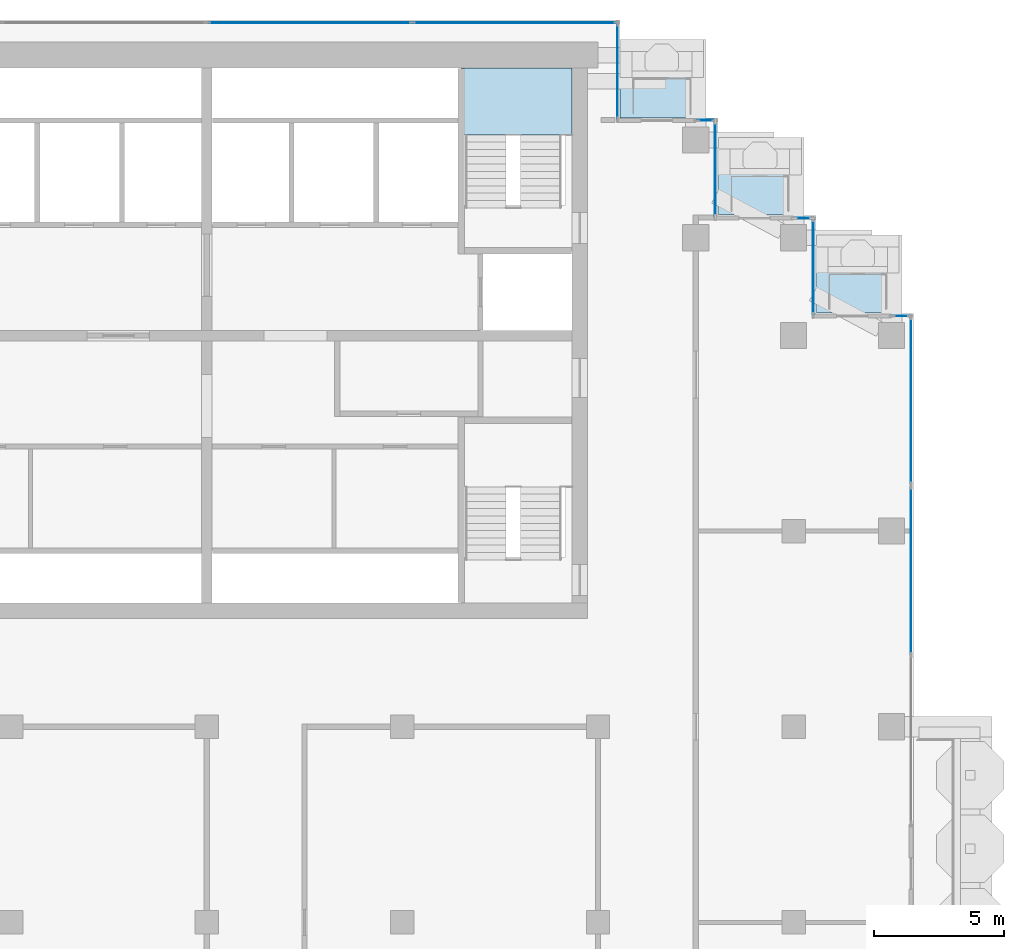
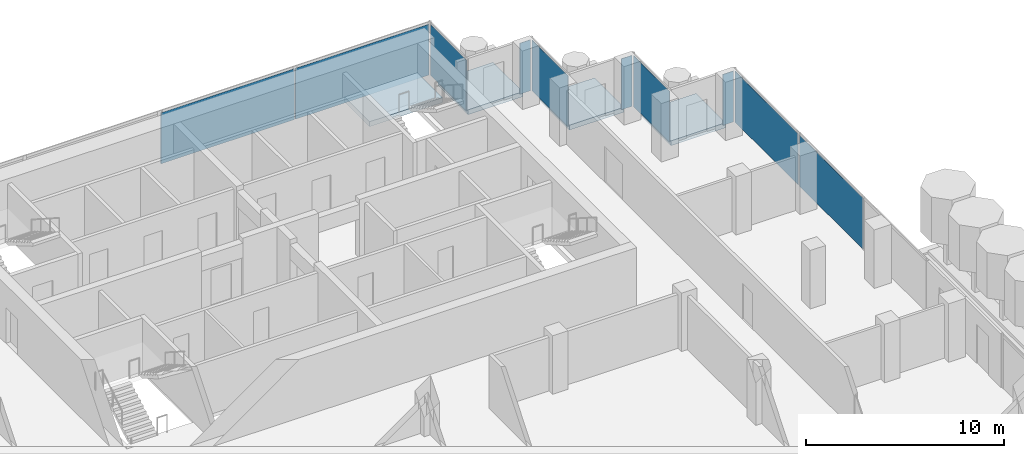
# One storey, part 10 of 17: 10 plates, 4 slabs, 10 elements without a shape of their own.
"""IFC4 building model written with IfcOpenShell, lengths in metres."""

from ifc_helpers import new_model, si_unit, direction, frame, origin, origin_2d, place, context, subcontext, project, spatial, polyline, rectangle, outline, extrude, material, layer, layer_set, type_object, element, aggregate, save


model = new_model("IFC4")

# Units and contexts
model_context = context("Model", 3, precision=1e-05, world=origin(), true_north=direction((0.0, 1.0)))
body_context = subcontext(model_context, "Body", "Model", "MODEL_VIEW")
ifc_project = project(units=[si_unit("LENGTHUNIT", "METRE"), si_unit("AREAUNIT", "SQUARE_METRE"), si_unit("VOLUMEUNIT", "CUBIC_METRE"), si_unit("PLANEANGLEUNIT", "RADIAN"), si_unit("MASSUNIT", "GRAM", prefix="KILO")], contexts=[model_context])

# Site, building, storey
site_placement = place(None, origin())
site = spatial("IfcSite", under=ifc_project, at=site_placement, CompositionType="ELEMENT")
building_placement = place(site_placement, origin())
building = spatial("IfcBuilding", under=site, at=building_placement, Name="Pilkhan Gate Tower", CompositionType="ELEMENT")
storey_placement = place(building_placement, frame((0.0, 0.0, 213.89990234375)))
storey = spatial("IfcBuildingStorey", under=building, at=storey_placement, Name="L55", CompositionType="ELEMENT", Elevation=213.89990234375)

# Slabs
ifc_material_1 = material(Name="Concrete C60/75", Category="concrete")
ifc_layer_1 = layer(ifc_material_1, 0.300048828125)
ifc_layer_set_1 = layer_set([ifc_layer_1], Name="Balcony tray slab TR300")
slab_type_1 = type_object("IfcSlabType", Name="Balcony tray slab TR300", PredefinedType="FLOOR", material=ifc_layer_set_1)
slab_1_placement = place(storey_placement, frame((0.0, 0.0, -0.2998046875)))
element("IfcSlab", 1, at=slab_1_placement, inside=storey, type_object=slab_type_1, Name="Balcony tray L55 N", PredefinedType="FLOOR", context=body_context, shape_type="SweptSolid", body=[
    extrude(outline(polyline([(94.050048828125, 90.85009765625), (94.050048828125, 93.85009765625), (90.85009765625, 93.85009765625), (90.85009765625, 90.85009765625), (94.050048828125, 90.85009765625)])), origin(), (0.0, 0.0, 1.0), 0.2998046875),
])
slab_2_placement = place(storey_placement, frame((0.0, 0.0, -0.2998046875)))
element("IfcSlab", 2, at=slab_2_placement, inside=storey, type_object=slab_type_1, Name="Balcony tray L55 N", PredefinedType="FLOOR", context=body_context, shape_type="SweptSolid", body=[
    extrude(outline(polyline([(97.800048828125, 87.1201171875), (97.800048828125, 90.10009765625), (94.6201171875, 90.10009765625), (94.6201171875, 87.1201171875), (97.800048828125, 87.1201171875)])), origin(), (0.0, 0.0, 1.0), 0.2998046875),
])
slab_3_placement = place(storey_placement, frame((0.0, 0.0, -0.2998046875)))
element("IfcSlab", 3, at=slab_3_placement, inside=storey, type_object=slab_type_1, Name="Balcony tray L55 N", PredefinedType="FLOOR", context=body_context, shape_type="SweptSolid", body=[
    extrude(outline(polyline([(101.550048828125, 83.3701171875), (101.550048828125, 86.35009765625), (98.3701171875, 86.35009765625), (98.3701171875, 83.3701171875), (101.550048828125, 83.3701171875)])), origin(), (0.0, 0.0, 1.0), 0.2998046875),
])

# Curtain wall, plate
ifc_material_2 = material(Name="Pale anodised aluminium, clear low-iron double glazing", Category="aluminium")
curtain_wall_type = type_object("IfcCurtainWallType", Name="Office unitised curtain wall CW-O2", PredefinedType="USERDEFINED", material=ifc_material_2)
curtain_wall_1_placement = place(storey_placement, origin())
curtain_wall_1 = element("IfcCurtainWall", 4, at=curtain_wall_1_placement, inside=storey, type_object=curtain_wall_type, Name="Office unitised curtain wall CW-O2 L55 E", ObjectType="UNITISED CURTAIN WALL", PredefinedType="USERDEFINED")
ifc_material_3 = material(Name="Clear low-iron double glazing", Category="glass")
ifc_layer_2 = layer(ifc_material_3, 0.031982421875)
ifc_layer_set_2 = layer_set([ifc_layer_2], Name="Glass panel CW-O2 32")
plate_type = type_object("IfcPlateType", Name="Glass panel CW-O2 32", PredefinedType="CURTAIN_PANEL", material=ifc_layer_set_2)
plate_1_placement = place(storey_placement, frame((102.0, 73.483642578125, 0.0), z_axis=(0.0, 0.0, 1.0), x_axis=(0.0, 1.0, 0.0)))
plate_1 = element("IfcPlate", 5, at=plate_1_placement, type_object=plate_type, Name="CW-O2 panel 2", PredefinedType="CURTAIN_PANEL", context=body_context, shape_type="SweptSolid", body=[
    extrude(rectangle(XDim=6.402587890625, YDim=0.031982421875, at=origin_2d()), origin(), (0.0, 0.0, 1.0), 3.135009765625),
])
aggregate(curtain_wall_1, [plate_1])

curtain_wall_2_placement = place(storey_placement, origin())
curtain_wall_2 = element("IfcCurtainWall", 6, at=curtain_wall_2_placement, inside=storey, type_object=curtain_wall_type, Name="Office unitised curtain wall CW-O2 L55 E", ObjectType="UNITISED CURTAIN WALL", PredefinedType="USERDEFINED")
plate_2_placement = place(storey_placement, frame((102.0, 80.0, 0.0), z_axis=(0.0, 0.0, 1.0), x_axis=(0.0, 1.0, 0.0)))
plate_2 = element("IfcPlate", 7, at=plate_2_placement, type_object=plate_type, Name="CW-O2 panel 1", PredefinedType="CURTAIN_PANEL", context=body_context, shape_type="SweptSolid", body=[
    extrude(rectangle(XDim=6.3701171875, YDim=0.031982421875, at=origin_2d()), origin(), (0.0, 0.0, 1.0), 3.135009765625),
])
aggregate(curtain_wall_2, [plate_2])

curtain_wall_3_placement = place(storey_placement, origin())
curtain_wall_3 = element("IfcCurtainWall", 8, at=curtain_wall_3_placement, inside=storey, type_object=curtain_wall_type, Name="Office unitised curtain wall CW-O2 L55 N", ObjectType="UNITISED CURTAIN WALL", PredefinedType="USERDEFINED")
plate_3_placement = place(storey_placement, frame((101.625, 83.25, 0.0), z_axis=(0.0, 0.0, 1.0), x_axis=(1.0, 0.0, 0.0)))
plate_3 = element("IfcPlate", 9, at=plate_3_placement, type_object=plate_type, Name="CW-O2 panel 1", PredefinedType="CURTAIN_PANEL", context=body_context, shape_type="SweptSolid", body=[
    extrude(rectangle(XDim=0.6201171875, YDim=0.031982421875, at=origin_2d()), origin(), (0.0, 0.0, 1.0), 3.135009765625),
])
aggregate(curtain_wall_3, [plate_3])

curtain_wall_4_placement = place(storey_placement, origin())
curtain_wall_4 = element("IfcCurtainWall", 10, at=curtain_wall_4_placement, inside=storey, type_object=curtain_wall_type, Name="Office unitised curtain wall CW-O2 L55 E", ObjectType="UNITISED CURTAIN WALL", PredefinedType="USERDEFINED")
plate_4_placement = place(storey_placement, frame((98.25, 85.125, 0.0), z_axis=(0.0, 0.0, 1.0), x_axis=(0.0, 1.0, 0.0)))
plate_4 = element("IfcPlate", 11, at=plate_4_placement, type_object=plate_type, Name="CW-O2 panel 1", PredefinedType="CURTAIN_PANEL", context=body_context, shape_type="SweptSolid", body=[
    extrude(rectangle(XDim=3.6201171875, YDim=0.031982421875, at=origin_2d()), origin(), (0.0, 0.0, 1.0), 3.135009765625),
])
aggregate(curtain_wall_4, [plate_4])

curtain_wall_5_placement = place(storey_placement, origin())
curtain_wall_5 = element("IfcCurtainWall", 12, at=curtain_wall_5_placement, inside=storey, type_object=curtain_wall_type, Name="Office unitised curtain wall CW-O2 L55 N", ObjectType="UNITISED CURTAIN WALL", PredefinedType="USERDEFINED")
plate_5_placement = place(storey_placement, frame((97.875, 87.0, 0.0), z_axis=(0.0, 0.0, 1.0), x_axis=(1.0, 0.0, 0.0)))
plate_5 = element("IfcPlate", 13, at=plate_5_placement, type_object=plate_type, Name="CW-O2 panel 1", PredefinedType="CURTAIN_PANEL", context=body_context, shape_type="SweptSolid", body=[
    extrude(rectangle(XDim=0.6201171875, YDim=0.031982421875, at=origin_2d()), origin(), (0.0, 0.0, 1.0), 3.135009765625),
])
aggregate(curtain_wall_5, [plate_5])

curtain_wall_6_placement = place(storey_placement, origin())
curtain_wall_6 = element("IfcCurtainWall", 14, at=curtain_wall_6_placement, inside=storey, type_object=curtain_wall_type, Name="Office unitised curtain wall CW-O2 L55 E", ObjectType="UNITISED CURTAIN WALL", PredefinedType="USERDEFINED")
plate_6_placement = place(storey_placement, frame((94.5, 88.875, 0.0), z_axis=(0.0, 0.0, 1.0), x_axis=(0.0, 1.0, 0.0)))
plate_6 = element("IfcPlate", 15, at=plate_6_placement, type_object=plate_type, Name="CW-O2 panel 1", PredefinedType="CURTAIN_PANEL", context=body_context, shape_type="SweptSolid", body=[
    extrude(rectangle(XDim=3.6201171875, YDim=0.031982421875, at=origin_2d()), origin(), (0.0, 0.0, 1.0), 3.135009765625),
])
aggregate(curtain_wall_6, [plate_6])

curtain_wall_7_placement = place(storey_placement, origin())
curtain_wall_7 = element("IfcCurtainWall", 16, at=curtain_wall_7_placement, inside=storey, type_object=curtain_wall_type, Name="Office unitised curtain wall CW-O2 L55 N", ObjectType="UNITISED CURTAIN WALL", PredefinedType="USERDEFINED")
plate_7_placement = place(storey_placement, frame((94.125, 90.75, 0.0), z_axis=(0.0, 0.0, 1.0), x_axis=(1.0, 0.0, 0.0)))
plate_7 = element("IfcPlate", 17, at=plate_7_placement, type_object=plate_type, Name="CW-O2 panel 1", PredefinedType="CURTAIN_PANEL", context=body_context, shape_type="SweptSolid", body=[
    extrude(rectangle(XDim=0.6201171875, YDim=0.031982421875, at=origin_2d()), origin(), (0.0, 0.0, 1.0), 3.135009765625),
])
aggregate(curtain_wall_7, [plate_7])

curtain_wall_8_placement = place(storey_placement, origin())
curtain_wall_8 = element("IfcCurtainWall", 18, at=curtain_wall_8_placement, inside=storey, type_object=curtain_wall_type, Name="Office unitised curtain wall CW-O2 L55 E", ObjectType="UNITISED CURTAIN WALL", PredefinedType="USERDEFINED")
plate_8_placement = place(storey_placement, frame((90.75, 92.625, 0.0), z_axis=(0.0, 0.0, 1.0), x_axis=(0.0, 1.0, 0.0)))
plate_8 = element("IfcPlate", 19, at=plate_8_placement, type_object=plate_type, Name="CW-O2 panel 1", PredefinedType="CURTAIN_PANEL", context=body_context, shape_type="SweptSolid", body=[
    extrude(rectangle(XDim=3.6201171875, YDim=0.031982421875, at=origin_2d()), origin(), (0.0, 0.0, 1.0), 3.135009765625),
])
aggregate(curtain_wall_8, [plate_8])

# Curtain wall, plates
curtain_wall_9_placement = place(storey_placement, origin())
curtain_wall_9 = element("IfcCurtainWall", 20, at=curtain_wall_9_placement, inside=storey, type_object=curtain_wall_type, Name="Office unitised curtain wall CW-O2 L55 N", ObjectType="UNITISED CURTAIN WALL", PredefinedType="USERDEFINED")
plate_9_placement = place(storey_placement, frame((78.953857421875, 94.5, 0.0), z_axis=(0.0, 0.0, 1.0), x_axis=(1.0, 0.0, 0.0)))
plate_9 = element("IfcPlate", 21, at=plate_9_placement, type_object=plate_type, Name="CW-O2 panel 1", PredefinedType="CURTAIN_PANEL", context=body_context, shape_type="SweptSolid", body=[
    extrude(rectangle(XDim=7.777587890625, YDim=0.031982421875, at=origin_2d()), origin(), (0.0, 0.0, 1.0), 3.135009765625),
])
plate_10_placement = place(storey_placement, frame((86.796142578125, 94.5, 0.0), z_axis=(0.0, 0.0, 1.0), x_axis=(1.0, 0.0, 0.0)))
plate_10 = element("IfcPlate", 22, at=plate_10_placement, type_object=plate_type, Name="CW-O2 panel 2", PredefinedType="CURTAIN_PANEL", context=body_context, shape_type="SweptSolid", body=[
    extrude(rectangle(XDim=7.777587890625, YDim=0.031982421875, at=origin_2d()), origin(), (0.0, 0.0, 1.0), 3.135009765625),
])
aggregate(curtain_wall_9, [plate_9, plate_10])

# Stair, slab
ifc_material_4 = material(Name="Concrete C40/50 precast", Category="concrete")
stair_type = type_object("IfcStairType", Name="Stair ST4 164x280", PredefinedType="HALF_TURN_STAIR", material=ifc_material_4)
stair_placement = place(storey_placement, origin())
stair = element("IfcStair", 23, at=stair_placement, inside=storey, type_object=stair_type, Name="Stair ST4 L55", PredefinedType="HALF_TURN_STAIR")
ifc_material_5 = material(Name="Concrete C40/50", Category="concrete")
ifc_layer_3 = layer(ifc_material_5, 0.199951171875)
ifc_layer_set_3 = layer_set([ifc_layer_3], Name="Stair landing SL200")
slab_type_2 = type_object("IfcSlabType", Name="Stair landing SL200", PredefinedType="LANDING", material=ifc_layer_set_3)
slab_4_placement = place(storey_placement, frame((0.0, 0.0, 1.5)))
slab_4 = element("IfcSlab", 24, at=slab_4_placement, type_object=slab_type_2, Name="ST4 landing 1", PredefinedType="LANDING", context=body_context, shape_type="SweptSolid", body=[
    extrude(outline(polyline([(89.0, 90.199951171875), (89.0, 92.75), (84.75, 92.75), (84.75, 90.199951171875), (89.0, 90.199951171875)])), origin(), (0.0, 0.0, 1.0), 0.300048828125),
])
aggregate(stair, [slab_4])

save(model, "model.ifc")
